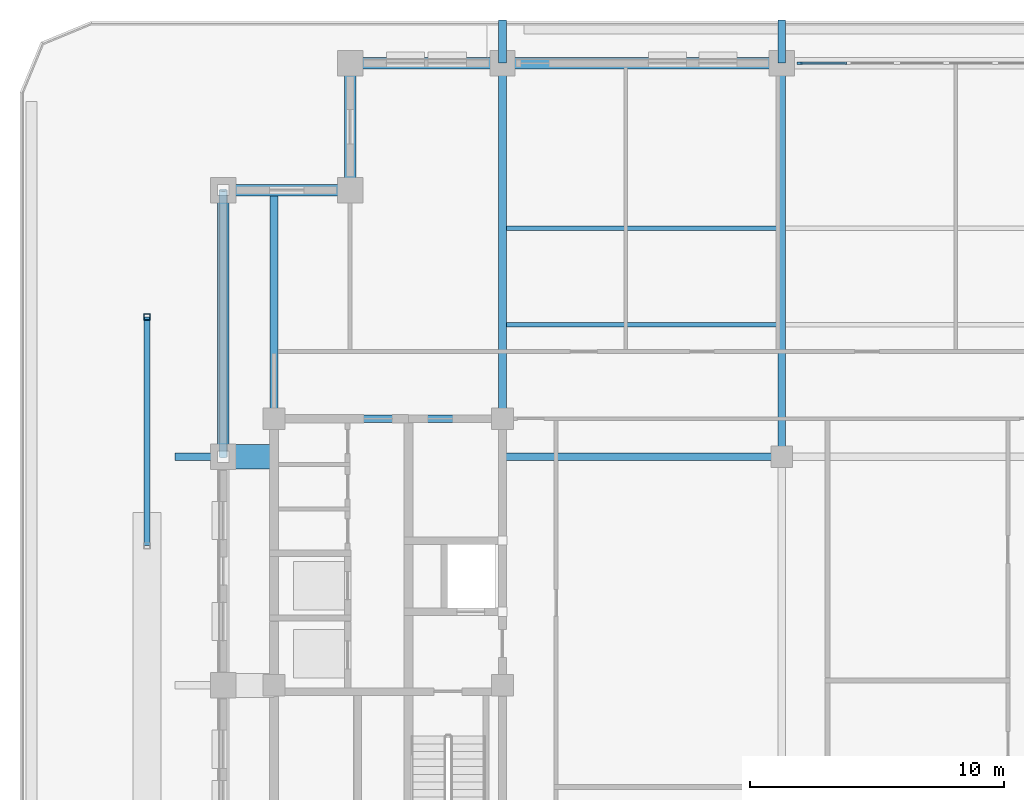
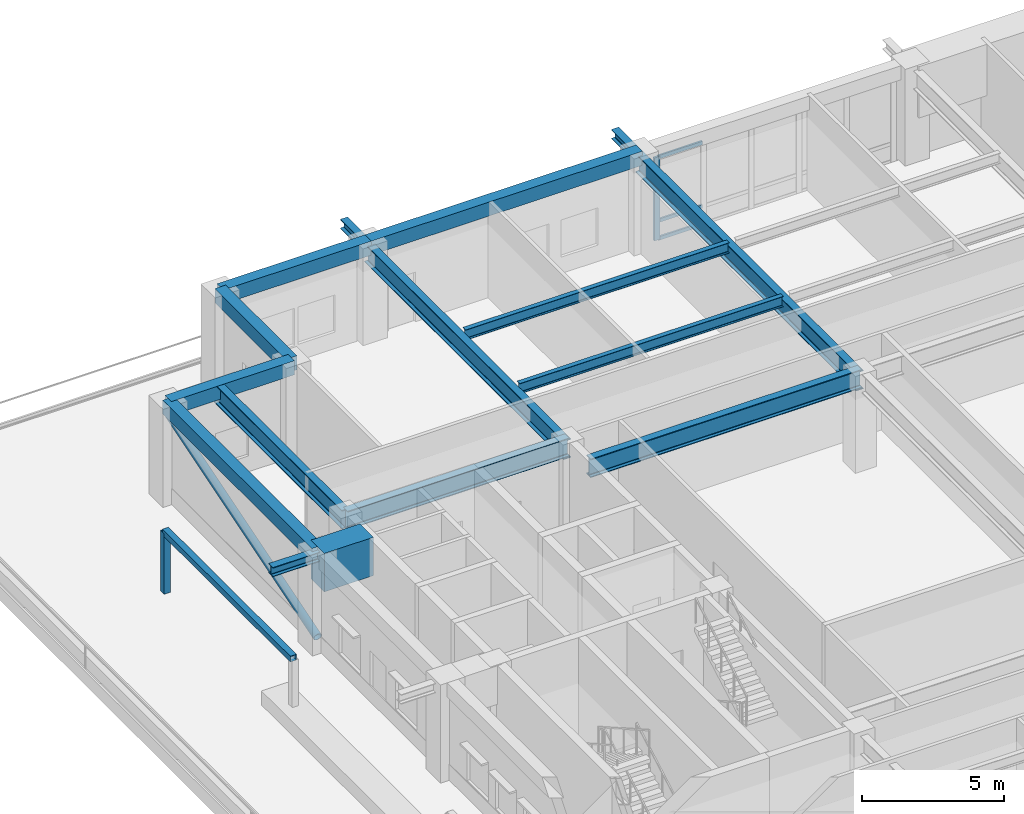
# One storey, part 5 of 20: 16 beams, 7 members, 1 element without a shape of its own.
"""IFC4 building model written with IfcOpenShell, lengths in metres."""

from ifc_helpers import new_model, si_unit, direction, frame, origin, origin_2d, place, context, subcontext, project, spatial, rectangle, hollow_rectangle, hollow_circle, i_section, extrude, material, material_profile, profile_set, type_object, element, aggregate, save


model = new_model("IFC4")

# Units and contexts
model_context = context("Model", 3, precision=1e-05, world=origin(), true_north=direction((0.0, 1.0)))
body_context = subcontext(model_context, "Body", "Model", "MODEL_VIEW")
ifc_project = project(units=[si_unit("LENGTHUNIT", "METRE"), si_unit("AREAUNIT", "SQUARE_METRE"), si_unit("VOLUMEUNIT", "CUBIC_METRE"), si_unit("PLANEANGLEUNIT", "RADIAN"), si_unit("MASSUNIT", "GRAM", prefix="KILO")], contexts=[model_context])

# Site, building, storey
site_placement = place(None, origin())
site = spatial("IfcSite", under=ifc_project, at=site_placement, CompositionType="ELEMENT")
building_placement = place(site_placement, origin())
building = spatial("IfcBuilding", under=site, at=building_placement, Name="Zulmaris Gate Convention Tower", CompositionType="ELEMENT")
storey_placement = place(building_placement, frame((0.0, 0.0, 158.23974609375)))
storey = spatial("IfcBuildingStorey", under=building, at=storey_placement, Name="L40", CompositionType="ELEMENT", Elevation=158.23974609375)

# Beams
ifc_material_1 = material(Name="Steel S355", Category="steel")
ifc_material_profile_1 = material_profile(ifc_material_1, i_section(OverallWidth=0.300048828125, OverallDepth=0.39990234375, WebThickness=0.013427734375, FlangeThickness=0.02392578125, FilletRadius=0.027099609375, at=origin_2d()), Name="HEB 400")
ifc_profile_set_1 = profile_set([ifc_material_profile_1], Name="Steel S355")
beam_type_1 = type_object("IfcBeamType", Name="BM-HEB400", PredefinedType="BEAM", material=ifc_profile_set_1)
for number, where, z_axis, x_axis, name in (
    (1, (-11.0, 24.5, 3.793212890625), (0.0, 1.0, 0.0), (-1.0, 0.0, 0.0), "L40 Beam TBRK-L40-N--11"),
    (2, (0.0, 24.5, 3.793212890625), (0.0, 1.0, 0.0), (-1.0, 0.0, 0.0), "L40 Beam TBRK-L40-N-+0"),
):
    element("IfcBeam", number, at=place(storey_placement, frame(where, z_axis=z_axis, x_axis=x_axis)), inside=storey, type_object=beam_type_1, Name=name, PredefinedType="BEAM", context=body_context, shape_type="SweptSolid", body=[
        extrude(i_section(OverallWidth=0.300048828125, OverallDepth=0.39990234375, WebThickness=0.013427734375, FlangeThickness=0.02392578125, FilletRadius=0.027099609375, at=origin_2d()), origin(), (0.0, 0.0, 1.0), 1.699951171875),
    ])
beam_1_placement = place(storey_placement, frame((-23.89990234375, 9.0, 3.830078125), z_axis=(1.0, 0.0, 0.0), x_axis=(0.0, 1.0, 0.0)))
element("IfcBeam", 3, at=beam_1_placement, inside=storey, type_object=beam_type_1, Name="L40 Beam TBRK-L40-W-+9", PredefinedType="BEAM", context=body_context, shape_type="SweptSolid", body=[
    extrude(i_section(OverallWidth=0.300048828125, OverallDepth=0.39990234375, WebThickness=0.013427734375, FlangeThickness=0.02392578125, FilletRadius=0.027099609375, at=origin_2d()), origin(), (0.0, 0.0, 1.0), 1.89990234375),
])
ifc_material_profile_2 = material_profile(ifc_material_1, i_section(OverallWidth=0.300048828125, OverallDepth=0.800048828125, WebThickness=0.017578125, FlangeThickness=0.032958984375, FilletRadius=0.030029296875, at=origin_2d()), Name="HEB 800")
ifc_profile_set_2 = profile_set([ifc_material_profile_2], Name="Steel S355")
beam_type_2 = type_object("IfcBeamType", Name="BM-HEB800", PredefinedType="BEAM", material=ifc_profile_set_2)
beam_2_placement = place(storey_placement, frame((-11.0, 9.0, 3.76806640625), z_axis=(1.0, 0.0, 0.0), x_axis=(0.0, 1.0, 0.0)))
element("IfcBeam", 4, at=beam_2_placement, inside=storey, type_object=beam_type_2, Name="L40 Beam BM-L40-G03", PredefinedType="BEAM", context=body_context, shape_type="SweptSolid", body=[
    extrude(i_section(OverallWidth=0.300048828125, OverallDepth=0.800048828125, WebThickness=0.017578125, FlangeThickness=0.032958984375, FilletRadius=0.030029296875, at=origin_2d()), origin(), (0.0, 0.0, 1.0), 11.0),
])
beam_3_placement = place(storey_placement, frame((0.0, 9.0, 3.59326171875), z_axis=(0.0, 1.0, 0.0), x_axis=(-1.0, 0.0, 0.0)))
element("IfcBeam", 5, at=beam_3_placement, inside=storey, type_object=beam_type_2, Name="L40 Beam BM-L40-G07", PredefinedType="BEAM", context=body_context, shape_type="SweptSolid", body=[
    extrude(i_section(OverallWidth=0.300048828125, OverallDepth=0.800048828125, WebThickness=0.017578125, FlangeThickness=0.032958984375, FilletRadius=0.030029296875, at=origin_2d()), origin(), (0.0, 0.0, 1.0), 15.5),
])
beam_4_placement = place(storey_placement, frame((-11.0, 10.5, 3.59326171875), z_axis=(0.0, 1.0, 0.0), x_axis=(-1.0, 0.0, 0.0)))
element("IfcBeam", 6, at=beam_4_placement, inside=storey, type_object=beam_type_2, Name="L40 Beam BM-L40-G09", PredefinedType="BEAM", context=body_context, shape_type="SweptSolid", body=[
    extrude(i_section(OverallWidth=0.300048828125, OverallDepth=0.800048828125, WebThickness=0.017578125, FlangeThickness=0.032958984375, FilletRadius=0.030029296875, at=origin_2d()), origin(), (0.0, 0.0, 1.0), 14.0),
])
for number, where, z_axis, x_axis, name in (
    (7, (-20.0, 10.5, 3.76806640625), (0.0, 1.0, 0.0), (-1.0, 0.0, 0.0), "L40 Beam BM-L40-G13"),
    (8, (-20.0, 10.5, 3.76806640625), (1.0, 0.0, 0.0), (0.0, 1.0, 0.0), "L40 Beam BM-L40-G23"),
):
    element("IfcBeam", number, at=place(storey_placement, frame(where, z_axis=z_axis, x_axis=x_axis)), inside=storey, type_object=beam_type_2, Name=name, PredefinedType="BEAM", context=body_context, shape_type="SweptSolid", body=[
        extrude(i_section(OverallWidth=0.300048828125, OverallDepth=0.800048828125, WebThickness=0.017578125, FlangeThickness=0.032958984375, FilletRadius=0.030029296875, at=origin_2d()), origin(), (0.0, 0.0, 1.0), 9.0),
    ])
ifc_material_2 = material(Name="Precast concrete C50/60", Category="concrete")
ifc_material_profile_3 = material_profile(ifc_material_2, rectangle(XDim=0.449951171875, YDim=0.60009765625, at=origin_2d()), Name="RC SPANDREL 450x600")
ifc_profile_set_3 = profile_set([ifc_material_profile_3], Name="Precast concrete C50/60")
beam_type_3 = type_object("IfcBeamType", Name="BM-SP450x600", PredefinedType="SPANDREL", material=ifc_profile_set_3)
beam_5_placement = place(storey_placement, frame((0.0, 24.5, 3.8701171875), z_axis=(-1.0, 0.0, 0.0), x_axis=(0.0, -1.0, 0.0)))
element("IfcBeam", 9, at=beam_5_placement, inside=storey, type_object=beam_type_3, Name="L40 Spandrel SP-L40-15", PredefinedType="SPANDREL", context=body_context, shape_type="SweptSolid", body=[
    extrude(rectangle(XDim=0.449951171875, YDim=0.60009765625, at=origin_2d()), origin(), (0.0, 0.0, 1.0), 11.0),
])
beam_6_placement = place(storey_placement, frame((-11.0, 24.5, 3.8701171875), z_axis=(-1.0, 0.0, 0.0), x_axis=(0.0, -1.0, 0.0)))
element("IfcBeam", 10, at=beam_6_placement, inside=storey, type_object=beam_type_3, Name="L40 Spandrel SP-L40-16", PredefinedType="SPANDREL", context=body_context, shape_type="SweptSolid", body=[
    extrude(rectangle(XDim=0.449951171875, YDim=0.60009765625, at=origin_2d()), origin(), (0.0, 0.0, 1.0), 6.0),
])
for number, where, z_axis, x_axis, name in (
    (11, (-17.0, 24.5, 3.8701171875), (0.0, -1.0, 0.0), (1.0, 0.0, 0.0), "L40 Spandrel SP-L40-17"),
    (12, (-17.0, 19.5, 3.8701171875), (-1.0, 0.0, 0.0), (0.0, -1.0, 0.0), "L40 Spandrel SP-L40-18"),
):
    element("IfcBeam", number, at=place(storey_placement, frame(where, z_axis=z_axis, x_axis=x_axis)), inside=storey, type_object=beam_type_3, Name=name, PredefinedType="SPANDREL", context=body_context, shape_type="SweptSolid", body=[
        extrude(rectangle(XDim=0.449951171875, YDim=0.60009765625, at=origin_2d()), origin(), (0.0, 0.0, 1.0), 5.0),
    ])
beam_7_placement = place(storey_placement, frame((-22.0, 19.5, 3.8701171875), z_axis=(0.0, -1.0, 0.0), x_axis=(1.0, 0.0, 0.0)))
element("IfcBeam", 13, at=beam_7_placement, inside=storey, type_object=beam_type_3, Name="L40 Spandrel SP-L40-19", PredefinedType="SPANDREL", context=body_context, shape_type="SweptSolid", body=[
    extrude(rectangle(XDim=0.449951171875, YDim=0.60009765625, at=origin_2d()), origin(), (0.0, 0.0, 1.0), 10.5),
])
ifc_material_3 = material(Name="Concrete C80/95", Category="concrete")
ifc_material_profile_4 = material_profile(ifc_material_3, rectangle(XDim=0.949951171875, YDim=1.64990234375, at=origin_2d()), Name="RC TRANSFER 950x1650")
ifc_profile_set_4 = profile_set([ifc_material_profile_4], Name="Concrete C80/95")
beam_type_4 = type_object("IfcBeamType", Name="BM-XFER1650", PredefinedType="BEAM", material=ifc_profile_set_4)
beam_8_placement = place(storey_placement, frame((-22.0, 9.0, 3.34521484375), z_axis=(1.0, 0.0, 0.0), x_axis=(0.0, 1.0, 0.0)))
element("IfcBeam", 14, at=beam_8_placement, inside=storey, type_object=beam_type_4, Name="L40 Beam BM-L40-G18", PredefinedType="BEAM", context=body_context, shape_type="SweptSolid", body=[
    extrude(rectangle(XDim=0.949951171875, YDim=1.64990234375, at=origin_2d()), origin(), (0.0, 0.0, 1.0), 2.0),
])

# Member
ifc_material_profile_5 = material_profile(ifc_material_1, hollow_circle(Radius=0.161865234375, WallThickness=0.01611328125, at=origin_2d()), Name="CHS 323.9x16")
ifc_profile_set_5 = profile_set([ifc_material_profile_5], Name="Steel S355")
member_type_1 = type_object("IfcMemberType", Name="BR-CHS324", PredefinedType="BRACE", material=ifc_profile_set_5)
member_1_placement = place(storey_placement, frame((-22.0, 9.0, 0.300048828125), z_axis=(0.0, 0.955285890691, 0.295683728071), x_axis=(-1.0, 0.0, 0.0)))
element("IfcMember", 15, at=member_1_placement, inside=storey, type_object=member_type_1, Name="L40 Perimeter Tube Diagonal NW-W", PredefinedType="BRACE", context=body_context, shape_type="SweptSolid", body=[
    extrude(hollow_circle(Radius=0.161865234375, WallThickness=0.01611328125, at=origin_2d()), origin(), (0.0, 0.0, 1.0), 10.991455078125),
])

# Curtain wall, members
ifc_material_4 = material(Name="Anodised Aluminium", Category="aluminium")
curtain_wall_type = type_object("IfcCurtainWallType", Name="CW-04", PredefinedType="NOTDEFINED", material=ifc_material_4)
curtain_wall_placement = place(storey_placement, origin())
curtain_wall = element("IfcCurtainWall", 16, at=curtain_wall_placement, inside=storey, type_object=curtain_wall_type, Name="CW-04 CW04-L40-N-2_0", PredefinedType="NOTDEFINED")
ifc_material_profile_6 = material_profile(ifc_material_4, rectangle(XDim=0.090087890625, YDim=0.219970703125, at=origin_2d()), Name="ALU MULLION 90x220")
ifc_profile_set_6 = profile_set([ifc_material_profile_6], Name="Anodised Aluminium")
member_type_2 = type_object("IfcMemberType", Name="CW-04-MULL", PredefinedType="MULLION", material=ifc_profile_set_6)
member_2_placement = place(storey_placement, frame((0.705078125, 24.5, 0.0), z_axis=(0.0, 0.0, 1.0), x_axis=(0.0, -1.0, 0.0)))
member_2 = element("IfcMember", 17, at=member_2_placement, type_object=member_type_2, Name="CW-04 mullion 6", PredefinedType="MULLION", context=body_context, shape_type="SweptSolid", body=[
    extrude(rectangle(XDim=0.090087890625, YDim=0.219970703125, at=origin_2d()), origin(), (0.0, 0.0, 1.0), 3.562255859375),
])
ifc_material_profile_7 = material_profile(ifc_material_4, rectangle(XDim=0.074951171875, YDim=0.14990234375, at=origin_2d()), Name="ALU TRANSOM 75x150")
ifc_profile_set_7 = profile_set([ifc_material_profile_7], Name="Anodised Aluminium")
member_type_3 = type_object("IfcMemberType", Name="CW-04-TRAN", PredefinedType="USERDEFINED", material=ifc_profile_set_7)
member_3_placement = place(storey_placement, frame((2.551025390625, 24.5, 0.037353515625), z_axis=(-1.0, 0.0, 0.0), x_axis=(0.0, -1.0, 0.0)))
member_3 = element("IfcMember", 18, at=member_3_placement, type_object=member_type_3, Name="CW-04 transom 5.1", ObjectType="TRANSOM", PredefinedType="USERDEFINED", context=body_context, shape_type="SweptSolid", body=[
    extrude(rectangle(XDim=0.074951171875, YDim=0.14990234375, at=origin_2d()), origin(), (0.0, 0.0, 1.0), 1.801025390625),
])
member_4_placement = place(storey_placement, frame((2.551025390625, 24.5, 0.800048828125), z_axis=(-1.0, 0.0, 0.0), x_axis=(0.0, -1.0, 0.0)))
member_4 = element("IfcMember", 19, at=member_4_placement, type_object=member_type_3, Name="CW-04 transom 5.2", ObjectType="TRANSOM", PredefinedType="USERDEFINED", context=body_context, shape_type="SweptSolid", body=[
    extrude(rectangle(XDim=0.074951171875, YDim=0.14990234375, at=origin_2d()), origin(), (0.0, 0.0, 1.0), 1.801025390625),
])
member_5_placement = place(storey_placement, frame((2.551025390625, 24.5, 3.524658203125), z_axis=(-1.0, 0.0, 0.0), x_axis=(0.0, -1.0, 0.0)))
member_5 = element("IfcMember", 20, at=member_5_placement, type_object=member_type_3, Name="CW-04 transom 5.3", ObjectType="TRANSOM", PredefinedType="USERDEFINED", context=body_context, shape_type="SweptSolid", body=[
    extrude(rectangle(XDim=0.074951171875, YDim=0.14990234375, at=origin_2d()), origin(), (0.0, 0.0, 1.0), 1.801025390625),
])
aggregate(curtain_wall, [member_2, member_3, member_4, member_5])

# Beams
ifc_material_profile_8 = material_profile(ifc_material_1, i_section(OverallWidth=0.18994140625, OverallDepth=0.449951171875, WebThickness=0.009521484375, FlangeThickness=0.0146484375, FilletRadius=0.02099609375, at=origin_2d()), Name="IPE 450")
ifc_profile_set_8 = profile_set([ifc_material_profile_8], Name="Steel S355")
beam_type_5 = type_object("IfcBeamType", Name="JT-IPE450", PredefinedType="JOIST", material=ifc_profile_set_8)
for number, where, z_axis, x_axis, name in (
    (21, (-10.85009765625, 14.199951171875, 3.943115234375), (1.0, 0.0, 0.0), (0.0, 1.0, 0.0), "L40 Joist JT-L40-CW-+14.2"),
    (22, (-10.85009765625, 18.0, 3.943115234375), (1.0, 0.0, 0.0), (0.0, 1.0, 0.0), "L40 Joist JT-L40-CW-+18.0"),
):
    element("IfcBeam", number, at=place(storey_placement, frame(where, z_axis=z_axis, x_axis=x_axis)), inside=storey, type_object=beam_type_5, Name=name, PredefinedType="JOIST", context=body_context, shape_type="SweptSolid", body=[
        extrude(i_section(OverallWidth=0.18994140625, OverallDepth=0.449951171875, WebThickness=0.009521484375, FlangeThickness=0.0146484375, FilletRadius=0.02099609375, at=origin_2d()), origin(), (0.0, 0.0, 1.0), 10.7001953125),
    ])

# Members
ifc_material_profile_9 = material_profile(ifc_material_1, hollow_rectangle(XDim=0.25, YDim=0.25, WallThickness=0.012451171875, at=origin_2d()), Name="SHS 250x250x12.5")
ifc_profile_set_9 = profile_set([ifc_material_profile_9], Name="Steel S355")
member_type_4 = type_object("IfcMemberType", Name="ST-SHS250", PredefinedType="STRUT", material=ifc_profile_set_9)
member_6_placement = place(storey_placement, frame((-25.0, 14.5, -0.0400390625), z_axis=(0.0, 0.0, 1.0), x_axis=(1.0, 0.0, 0.0)))
element("IfcMember", 23, at=member_6_placement, inside=storey, type_object=member_type_4, Name="L40 Exposed Terrace Planted Pergola Post 2B", PredefinedType="STRUT", context=body_context, shape_type="SweptSolid", body=[
    extrude(hollow_rectangle(XDim=0.25, YDim=0.25, WallThickness=0.012451171875, at=origin_2d()), origin(), (0.0, 0.0, 1.0), 2.60009765625),
])
member_7_placement = place(storey_placement, frame((-25.0, 5.5, 2.56005859375), z_axis=(0.0, 1.0, 0.0), x_axis=(-1.0, 0.0, 0.0)))
element("IfcMember", 24, at=member_7_placement, inside=storey, type_object=member_type_4, Name="L40 Exposed Terrace Planted Pergola Beam 2", PredefinedType="STRUT", context=body_context, shape_type="SweptSolid", body=[
    extrude(hollow_rectangle(XDim=0.25, YDim=0.25, WallThickness=0.012451171875, at=origin_2d()), origin(), (0.0, 0.0, 1.0), 9.0),
])

save(model, "model.ifc")
